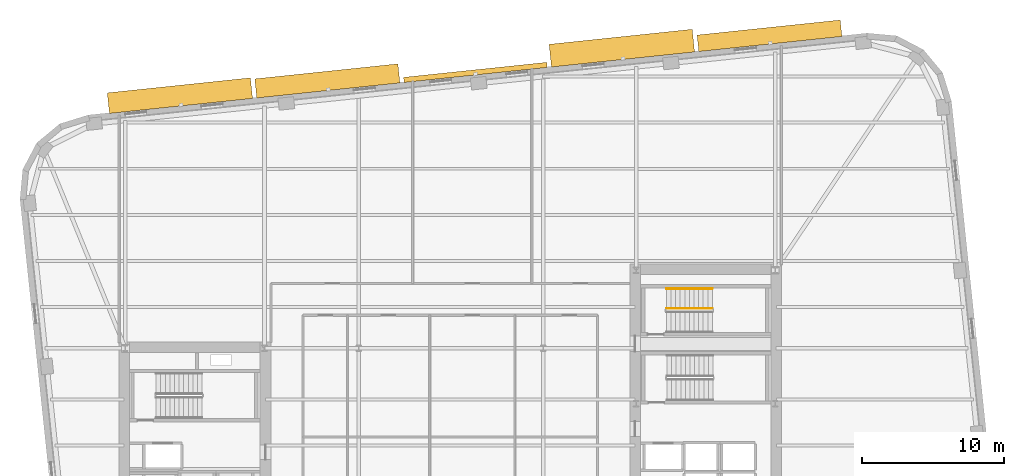
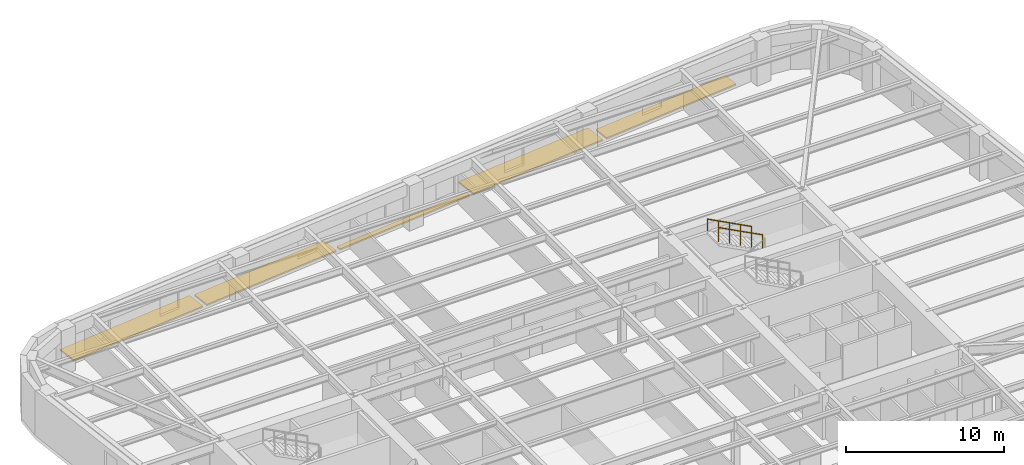
# One storey, part 12 of 12: 5 shading devices, 2 railings.
"""IFC4 building model written with IfcOpenShell, lengths in metres."""

from ifc_helpers import new_model, si_unit, direction, frame, origin, origin_2d, place, context, subcontext, project, spatial, rectangle, circle, extrude, material, type_object, element, save


model = new_model("IFC4")

# Units and contexts
model_context = context("Model", 3, precision=1e-05, world=origin(), true_north=direction((0.0, 1.0)))
body_context = subcontext(model_context, "Body", "Model", "MODEL_VIEW")
ifc_project = project(units=[si_unit("LENGTHUNIT", "METRE"), si_unit("AREAUNIT", "SQUARE_METRE"), si_unit("VOLUMEUNIT", "CUBIC_METRE"), si_unit("PLANEANGLEUNIT", "RADIAN"), si_unit("MASSUNIT", "GRAM", prefix="KILO")], contexts=[model_context])

# Site, building, storey
site_placement = place(None, origin())
site = spatial("IfcSite", under=ifc_project, at=site_placement, CompositionType="ELEMENT")
building_placement = place(site_placement, origin())
building = spatial("IfcBuilding", under=site, at=building_placement, Name="Kolvaren Arena Tower", CompositionType="ELEMENT")
storey_placement = place(building_placement, frame((0.0, 0.0, 138.25)))
storey = spatial("IfcBuildingStorey", under=building, at=storey_placement, Name="L32", CompositionType="ELEMENT", Elevation=138.25)

# Railings
ifc_material_1 = material(Name="Painted galvanized steel", Category="steel")
railing_type_1 = type_object("IfcRailingType", Name="GUARD-ST-110", PredefinedType="GUARDRAIL", material=ifc_material_1)
railing_1_placement = place(storey_placement, frame((55.919921875, 36.64990234375, 2.04541015625)))
element("IfcRailing", 1, at=railing_1_placement, inside=storey, type_object=railing_type_1, Name="L32 ST-E2 stair guard 3", PredefinedType="GUARDRAIL", context=body_context, shape_type="SweptSolid", body=[
    extrude(circle(Radius=0.02392578125, at=origin_2d()), frame((0.0, 0.0, 1.076171875), z_axis=(-0.884993431791, 0.0, 0.465603506952), x_axis=(0.0, -1.0, 0.0)), (0.0, 0.0, 1.0), 3.6611328125),
    extrude(circle(Radius=0.02099609375, at=origin_2d()), origin(), (0.0, 0.0, 1.0), 1.052001953125),
    extrude(circle(Radius=0.02099609375, at=origin_2d()), frame((-0.81005859375, 0.0, 0.42626953125)), (0.0, 0.0, 1.0), 1.052001953125),
    extrude(circle(Radius=0.02099609375, at=origin_2d()), frame((-1.6201171875, 0.0, 0.852294921875)), (0.0, 0.0, 1.0), 1.052001953125),
    extrude(circle(Radius=0.02099609375, at=origin_2d()), frame((-2.429931640625, 0.0, 1.2783203125)), (0.0, 0.0, 1.0), 1.052001953125),
    extrude(circle(Radius=0.02099609375, at=origin_2d()), frame((-3.239990234375, 0.0, 1.70458984375)), (0.0, 0.0, 1.0), 1.052001953125),
])
ifc_material_2 = material(Name="Brushed stainless steel handrail", Category="steel")
railing_type_2 = type_object("IfcRailingType", Name="HRAIL-900", PredefinedType="HANDRAIL", material=ifc_material_2)
railing_2_placement = place(storey_placement, frame((55.919921875, 38.050048828125, 2.04541015625)))
element("IfcRailing", 2, at=railing_2_placement, inside=storey, type_object=railing_type_2, Name="L32 ST-E2 stair handrail 2", PredefinedType="HANDRAIL", context=body_context, shape_type="SweptSolid", body=[
    extrude(circle(Radius=0.02392578125, at=origin_2d()), frame((0.0, 0.0, 0.8759765625), z_axis=(-0.884993431791, 0.0, 0.465603506952), x_axis=(0.0, -1.0, 0.0)), (0.0, 0.0, 1.0), 3.6611328125),
    extrude(circle(Radius=0.02099609375, at=origin_2d()), origin(), (0.0, 0.0, 1.0), 0.851806640625),
    extrude(circle(Radius=0.02099609375, at=origin_2d()), frame((-0.81005859375, 0.0, 0.42626953125)), (0.0, 0.0, 1.0), 0.851806640625),
    extrude(circle(Radius=0.02099609375, at=origin_2d()), frame((-1.6201171875, 0.0, 0.852294921875)), (0.0, 0.0, 1.0), 0.851806640625),
    extrude(circle(Radius=0.02099609375, at=origin_2d()), frame((-2.429931640625, 0.0, 1.2783203125)), (0.0, 0.0, 1.0), 0.851806640625),
    extrude(circle(Radius=0.02099609375, at=origin_2d()), frame((-3.239990234375, 0.0, 1.70458984375)), (0.0, 0.0, 1.0), 0.851806640625),
])

# Shading devices
ifc_material_3 = material(Name="Architectural precast GFRC and anodised aluminium sunshade", Category="concrete")
shading_device_type_1 = type_object("IfcShadingDeviceType", Name="SHAD-SINE-A", PredefinedType="USERDEFINED", material=ifc_material_3)
shading_device_1_placement = place(storey_placement, frame((39.222412109375, 53.290283203125, -0.14013671875), z_axis=(0.0, 0.0, 1.0), x_axis=(0.994522077803, 0.104526727499, 0.0)))
element("IfcShadingDevice", 3, at=shading_device_1_placement, inside=storey, type_object=shading_device_type_1, Name="Sinusoidal Slab-Edge Sunshade Louvre (L32)", ObjectType="LOUVRE", PredefinedType="USERDEFINED", context=body_context, shape_type="SweptSolid", body=[
    extrude(rectangle(XDim=10.139892578125, YDim=0.36669921875, at=origin_2d()), origin(), (0.0, 0.0, 1.0), 0.1201171875),
])
shading_device_2_placement = place(storey_placement, frame((59.946044921875, 55.87158203125, -0.14013671875), z_axis=(0.0, 0.0, 1.0), x_axis=(0.994522077803, 0.104526727499, 0.0)))
element("IfcShadingDevice", 4, at=shading_device_2_placement, inside=storey, type_object=shading_device_type_1, Name="Sinusoidal Slab-Edge Sunshade Louvre (L32)", ObjectType="LOUVRE", PredefinedType="USERDEFINED", context=body_context, shape_type="SweptSolid", body=[
    extrude(rectangle(XDim=10.139892578125, YDim=1.168701171875, at=origin_2d()), origin(), (0.0, 0.0, 1.0), 0.1201171875),
])
shading_device_type_2 = type_object("IfcShadingDeviceType", Name="SHAD-SINE-B", PredefinedType="JALOUSIE", material=ifc_material_3)
shading_device_3_placement = place(storey_placement, frame((18.3994140625, 51.652099609375, -0.14013671875), z_axis=(0.0, 0.0, 1.0), x_axis=(0.994522077803, 0.104526727499, 0.0)))
element("IfcShadingDevice", 5, at=shading_device_3_placement, inside=storey, type_object=shading_device_type_2, Name="Sinusoidal Slab-Edge Sunshade Louvre (L32)", PredefinedType="JALOUSIE", context=body_context, shape_type="SweptSolid", body=[
    extrude(rectangle(XDim=10.139892578125, YDim=1.461181640625, at=origin_2d()), origin(), (0.0, 0.0, 1.0), 0.1201171875),
])
shading_device_4_placement = place(storey_placement, frame((28.787841796875, 52.690673828125, -0.14013671875), z_axis=(0.0, 0.0, 1.0), x_axis=(0.994522077803, 0.104526727499, 0.0)))
element("IfcShadingDevice", 6, at=shading_device_4_placement, inside=storey, type_object=shading_device_type_2, Name="Sinusoidal Slab-Edge Sunshade Louvre (L32)", PredefinedType="JALOUSIE", context=body_context, shape_type="SweptSolid", body=[
    extrude(rectangle(XDim=10.139892578125, YDim=1.35498046875, at=origin_2d()), origin(), (0.0, 0.0, 1.0), 0.1201171875),
])
shading_device_5_placement = place(storey_placement, frame((49.5400390625, 54.99951171875, -0.14013671875), z_axis=(0.0, 0.0, 1.0), x_axis=(0.994522077803, 0.104526727499, 0.0)))
element("IfcShadingDevice", 7, at=shading_device_5_placement, inside=storey, type_object=shading_device_type_2, Name="Sinusoidal Slab-Edge Sunshade Louvre (L32)", PredefinedType="JALOUSIE", context=body_context, shape_type="SweptSolid", body=[
    extrude(rectangle(XDim=10.139892578125, YDim=1.609375, at=origin_2d()), origin(), (0.0, 0.0, 1.0), 0.1201171875),
])

save(model, "model.ifc")
